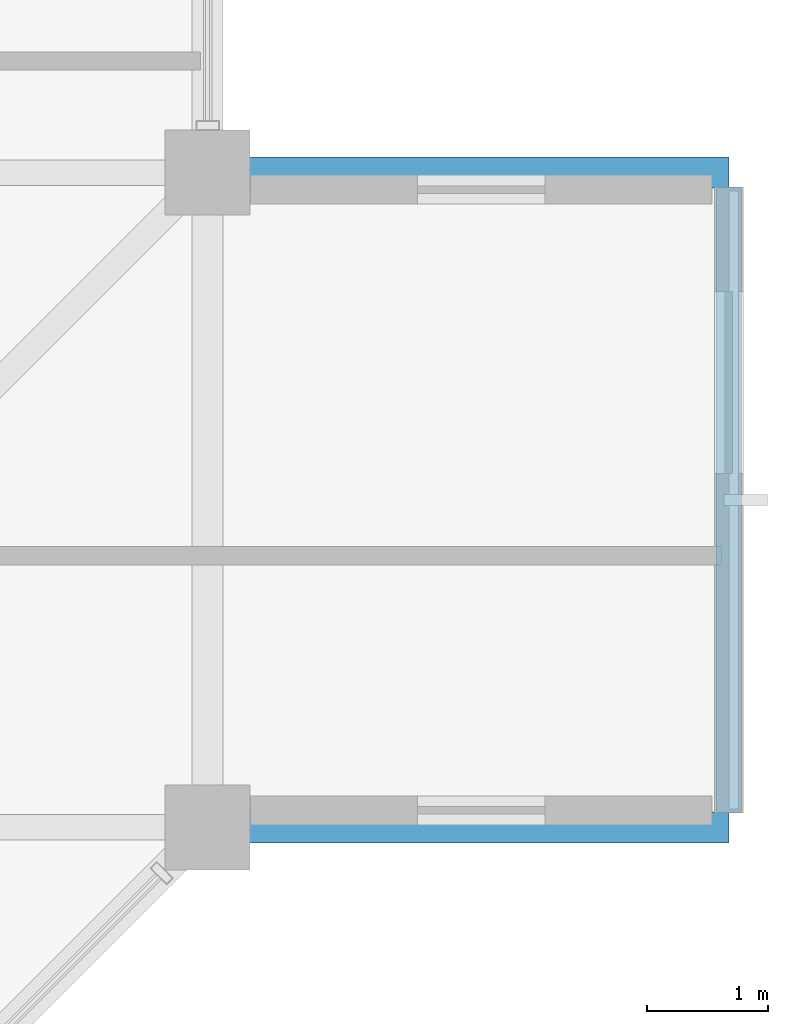
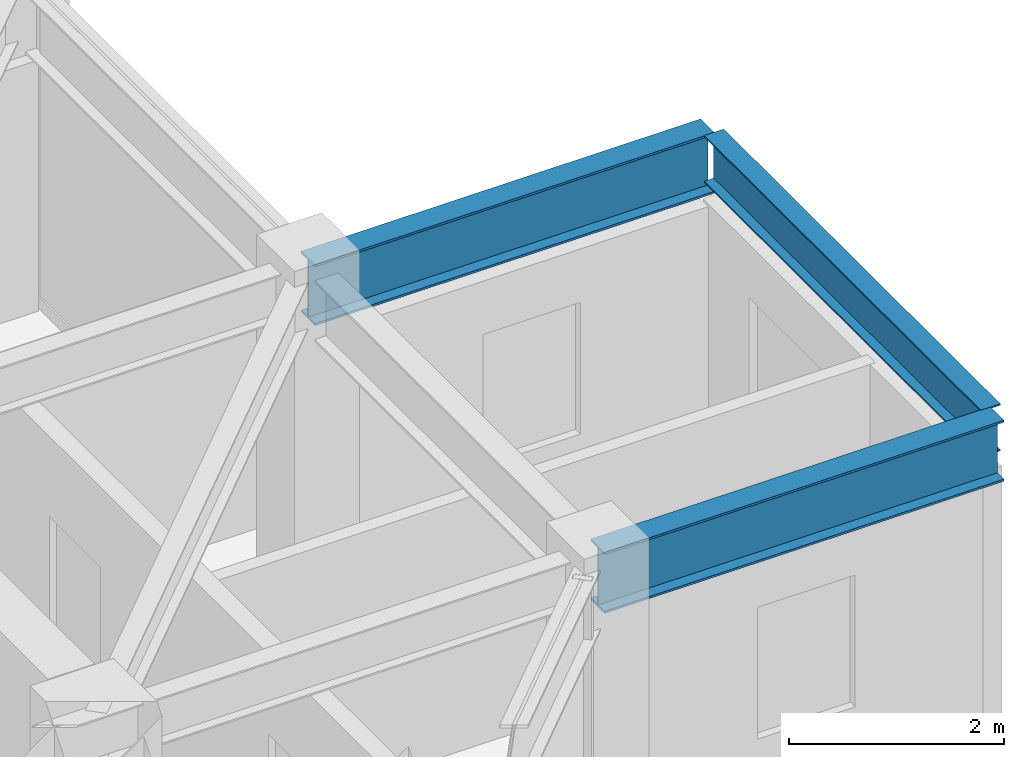
# One storey, part 12 of 31: 3 beams.
"""IFC4 building model written with IfcOpenShell, lengths in metres."""

from ifc_helpers import new_model, si_unit, direction, frame, origin, origin_2d, place, context, subcontext, project, spatial, i_section, extrude, material, material_profile, profile_set, type_object, element, save


model = new_model("IFC4")

# Units and contexts
model_context = context("Model", 3, precision=1e-05, world=origin(), true_north=direction((0.0, 1.0)))
body_context = subcontext(model_context, "Body", "Model", "MODEL_VIEW")
ifc_project = project(units=[si_unit("LENGTHUNIT", "METRE"), si_unit("AREAUNIT", "SQUARE_METRE"), si_unit("VOLUMEUNIT", "CUBIC_METRE"), si_unit("PLANEANGLEUNIT", "RADIAN"), si_unit("MASSUNIT", "GRAM", prefix="KILO")], contexts=[model_context])

# Site, building, storey
site_placement = place(None, origin())
site = spatial("IfcSite", under=ifc_project, at=site_placement, CompositionType="ELEMENT")
building_placement = place(site_placement, origin())
building = spatial("IfcBuilding", under=site, at=building_placement, Name="Surkhivell Harbour Commons", CompositionType="ELEMENT")
storey_placement = place(building_placement, frame((0.0, 0.0, 318.75)))
storey = spatial("IfcBuildingStorey", under=building, at=storey_placement, Name="L83", CompositionType="ELEMENT", Elevation=318.75)

# Beams
ifc_material_1 = material(Name="Steel S460", Category="steel")
ifc_material_profile_1 = material_profile(ifc_material_1, i_section(OverallWidth=0.256103515625, OverallDepth=0.693115234375, WebThickness=0.014404296875, FlangeThickness=0.023681640625, at=origin_2d()), Name="UB686x254x170")
ifc_profile_set_1 = profile_set([ifc_material_profile_1], Name="Steel S460")
beam_type_1 = type_object("IfcBeamType", Name="BM-CNT-686", PredefinedType="BEAM", material=ifc_profile_set_1)
for number, where, z_axis, x_axis, name in (
    (1, (16.199951171875, -5.39990234375, 3.223388671875), (1.0, 0.0, 0.0), (0.0, 1.0, 0.0), "L83 Box Cantilever Outrigger (16.2,-5.4)"),
    (2, (16.199951171875, 0.0, 3.223388671875), (1.0, 0.0, 0.0), (0.0, 1.0, 0.0), "L83 Box Cantilever Outrigger (16.2,0.0)"),
):
    element("IfcBeam", number, at=place(storey_placement, frame(where, z_axis=z_axis, x_axis=x_axis)), inside=storey, type_object=beam_type_1, Name=name, PredefinedType="BEAM", context=body_context, shape_type="SweptSolid", body=[
        extrude(i_section(OverallWidth=0.256103515625, OverallDepth=0.693115234375, WebThickness=0.014404296875, FlangeThickness=0.023681640625, at=origin_2d()), origin(), (0.0, 0.0, 1.0), 4.300048828125),
    ])
ifc_material_2 = material(Name="Steel S355", Category="steel")
ifc_material_profile_2 = material_profile(ifc_material_2, i_section(OverallWidth=0.2099609375, OverallDepth=0.537109375, WebThickness=0.0107421875, FlangeThickness=0.017333984375, at=origin_2d()), Name="UB533x210x101")
ifc_profile_set_2 = profile_set([ifc_material_profile_2], Name="Steel S355")
beam_type_2 = type_object("IfcBeamType", Name="BM-GRD-533B", PredefinedType="BEAM", material=ifc_profile_set_2)
beam_placement = place(storey_placement, frame((20.5, -5.278076171875, 3.301513671875), z_axis=(0.0, 1.0, 0.0), x_axis=(-1.0, 0.0, 0.0)))
element("IfcBeam", 3, at=beam_placement, inside=storey, type_object=beam_type_2, Name="L83 Box Rim Spandrel (20.5,-5.4)", PredefinedType="BEAM", context=body_context, shape_type="SweptSolid", body=[
    extrude(i_section(OverallWidth=0.2099609375, OverallDepth=0.537109375, WebThickness=0.0107421875, FlangeThickness=0.017333984375, at=origin_2d()), origin(), (0.0, 0.0, 1.0), 5.156005859375),
])

save(model, "model.ifc")
